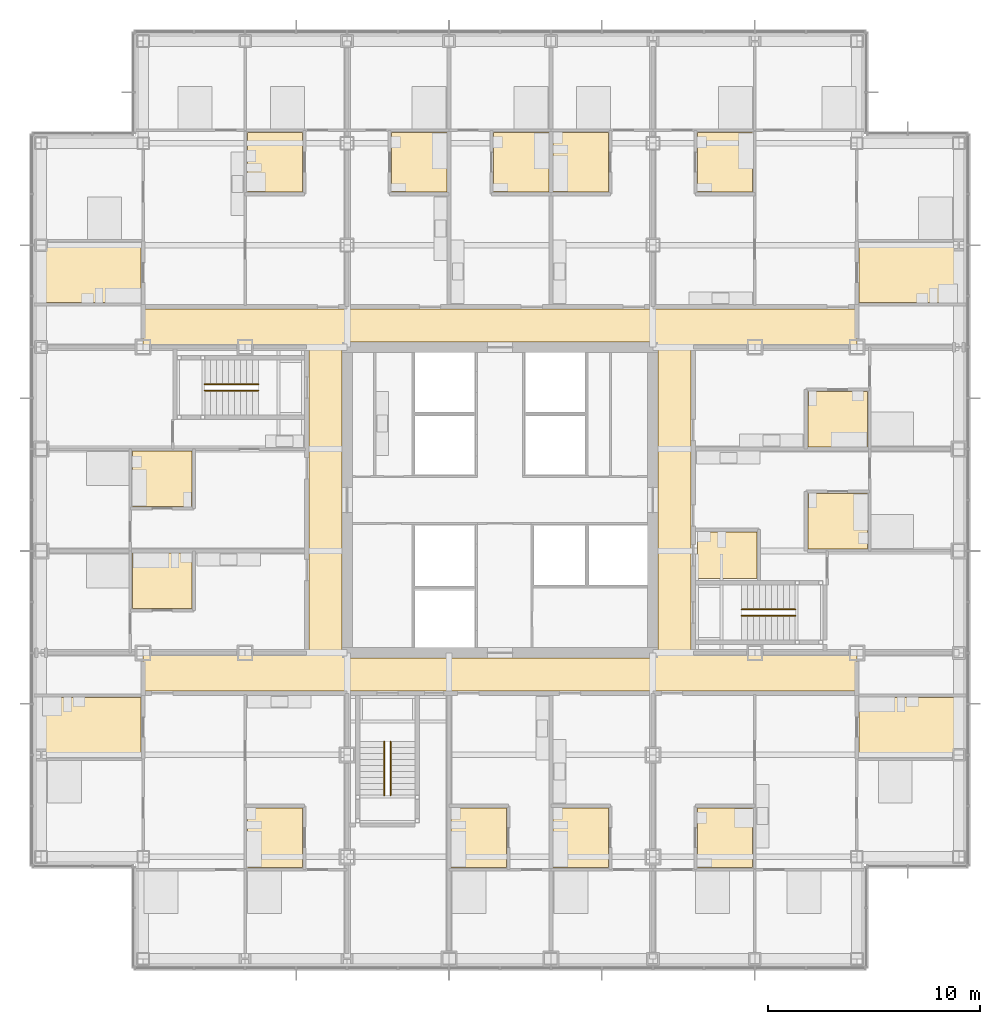
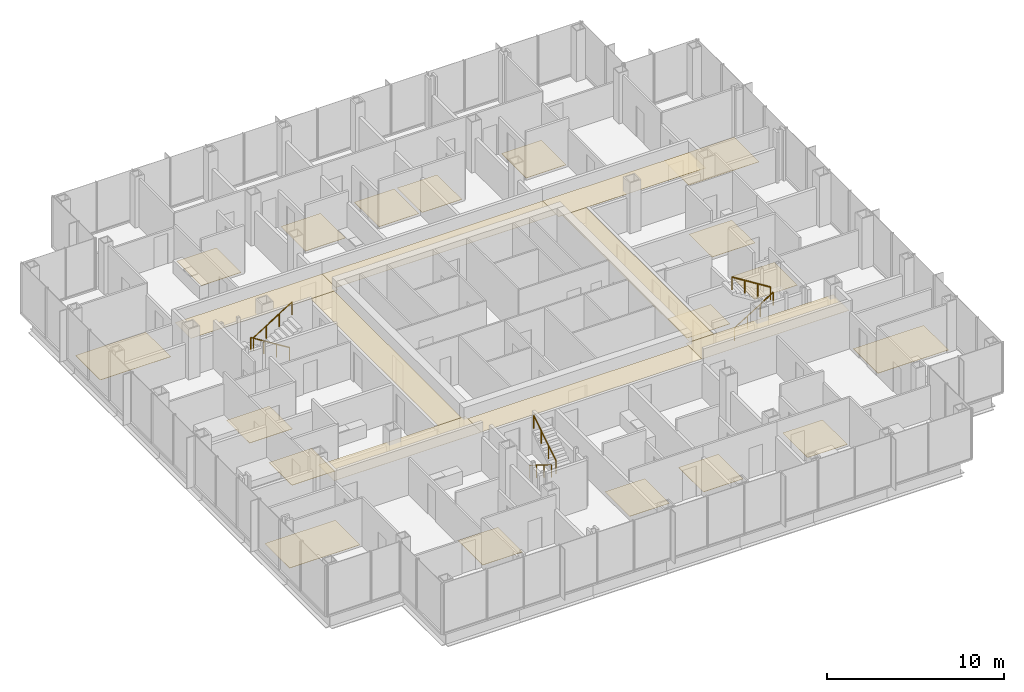
# One storey, part 19 of 21: 26 coverings, 6 railings.
"""IFC4 building model written with IfcOpenShell, lengths in metres."""

from ifc_helpers import new_model, si_unit, direction, frame, origin, origin_2d, place, context, subcontext, project, spatial, polyline, circle, outline, extrude, material, layer, layer_set, type_object, element, save


model = new_model("IFC4")

# Units and contexts
model_context = context("Model", 3, precision=1e-05, world=origin(), true_north=direction((0.0, 1.0)))
body_context = subcontext(model_context, "Body", "Model", "MODEL_VIEW")
ifc_project = project(units=[si_unit("LENGTHUNIT", "METRE"), si_unit("AREAUNIT", "SQUARE_METRE"), si_unit("VOLUMEUNIT", "CUBIC_METRE"), si_unit("PLANEANGLEUNIT", "RADIAN"), si_unit("MASSUNIT", "GRAM", prefix="KILO")], contexts=[model_context])

# Site, building, storey
site_placement = place(None, origin())
site = spatial("IfcSite", under=ifc_project, at=site_placement, CompositionType="ELEMENT")
building_placement = place(site_placement, origin())
building = spatial("IfcBuilding", under=site, at=building_placement, Name="Kvirike Care Tower", CompositionType="ELEMENT")
storey_placement = place(building_placement, frame((0.0, 0.0, 51.5)))
storey = spatial("IfcBuildingStorey", under=building, at=storey_placement, Name="L13", CompositionType="ELEMENT", Elevation=51.5)

# Coverings
ifc_material_1 = material(Name="Perforated metal ceiling tile", Category="aluminium")
ifc_layer_1 = layer(ifc_material_1, 0.014892578125)
ifc_layer_set_1 = layer_set([ifc_layer_1], Name="CORRIDOR CEILING 15")
covering_type_1 = type_object("IfcCoveringType", Name="CORRIDOR CEILING 15", PredefinedType="CEILING", material=ifc_layer_set_1)
covering_1_placement = place(storey_placement, frame((0.0, 0.0, 2.5)))
element("IfcCovering", 1, at=covering_1_placement, inside=storey, type_object=covering_type_1, Name="Corridor ceiling L13", PredefinedType="CEILING", context=body_context, shape_type="SweptSolid", body=[
    extrude(outline(polyline([(4.800048828125, 27.0), (4.800048828125, 28.800048828125), (14.39990234375, 28.800048828125), (14.39990234375, 27.0), (4.800048828125, 27.0)])), origin(), (0.0, 0.0, 1.0), 0.014892578125),
])
covering_2_placement = place(storey_placement, frame((0.0, 0.0, 2.5)))
element("IfcCovering", 2, at=covering_2_placement, inside=storey, type_object=covering_type_1, Name="Corridor ceiling L13", PredefinedType="CEILING", context=body_context, shape_type="SweptSolid", body=[
    extrude(outline(polyline([(12.60009765625, 43.199951171875), (14.14990234375, 43.199951171875), (14.14990234375, 28.800048828125), (12.60009765625, 28.800048828125), (12.60009765625, 43.199951171875)])), origin(), (0.0, 0.0, 1.0), 0.014892578125),
])
covering_3_placement = place(storey_placement, frame((0.0, 0.0, 2.5)))
element("IfcCovering", 3, at=covering_3_placement, inside=storey, type_object=covering_type_1, Name="Corridor ceiling L13", PredefinedType="CEILING", context=body_context, shape_type="SweptSolid", body=[
    extrude(outline(polyline([(14.39990234375, 45.0), (14.39990234375, 43.199951171875), (4.800048828125, 43.199951171875), (4.800048828125, 45.0), (14.39990234375, 45.0)])), origin(), (0.0, 0.0, 1.0), 0.014892578125),
])
covering_4_placement = place(storey_placement, frame((0.0, 0.0, 2.5)))
element("IfcCovering", 4, at=covering_4_placement, inside=storey, type_object=covering_type_1, Name="Corridor ceiling L13", PredefinedType="CEILING", context=body_context, shape_type="SweptSolid", body=[
    extrude(outline(polyline([(14.39990234375, 27.0), (14.39990234375, 28.550048828125), (28.800048828125, 28.550048828125), (28.800048828125, 27.0), (14.39990234375, 27.0)])), origin(), (0.0, 0.0, 1.0), 0.014892578125),
])
covering_5_placement = place(storey_placement, frame((0.0, 0.0, 2.5)))
element("IfcCovering", 5, at=covering_5_placement, inside=storey, type_object=covering_type_1, Name="Corridor ceiling L13", PredefinedType="CEILING", context=body_context, shape_type="SweptSolid", body=[
    extrude(outline(polyline([(28.800048828125, 45.0), (28.800048828125, 43.449951171875), (14.39990234375, 43.449951171875), (14.39990234375, 45.0), (28.800048828125, 45.0)])), origin(), (0.0, 0.0, 1.0), 0.014892578125),
])
covering_6_placement = place(storey_placement, frame((0.0, 0.0, 2.5)))
element("IfcCovering", 6, at=covering_6_placement, inside=storey, type_object=covering_type_1, Name="Corridor ceiling L13", PredefinedType="CEILING", context=body_context, shape_type="SweptSolid", body=[
    extrude(outline(polyline([(28.800048828125, 27.0), (28.800048828125, 28.800048828125), (38.39990234375, 28.800048828125), (38.39990234375, 27.0), (28.800048828125, 27.0)])), origin(), (0.0, 0.0, 1.0), 0.014892578125),
])
covering_7_placement = place(storey_placement, frame((0.0, 0.0, 2.5)))
element("IfcCovering", 7, at=covering_7_placement, inside=storey, type_object=covering_type_1, Name="Corridor ceiling L13", PredefinedType="CEILING", context=body_context, shape_type="SweptSolid", body=[
    extrude(outline(polyline([(30.60009765625, 28.800048828125), (29.050048828125, 28.800048828125), (29.050048828125, 43.199951171875), (30.60009765625, 43.199951171875), (30.60009765625, 28.800048828125)])), origin(), (0.0, 0.0, 1.0), 0.014892578125),
])
covering_8_placement = place(storey_placement, frame((0.0, 0.0, 2.5)))
element("IfcCovering", 8, at=covering_8_placement, inside=storey, type_object=covering_type_1, Name="Corridor ceiling L13", PredefinedType="CEILING", context=body_context, shape_type="SweptSolid", body=[
    extrude(outline(polyline([(38.39990234375, 45.0), (38.39990234375, 43.199951171875), (28.800048828125, 43.199951171875), (28.800048828125, 45.0), (38.39990234375, 45.0)])), origin(), (0.0, 0.0, 1.0), 0.014892578125),
])

# Railings
ifc_material_2 = material(Name="Stainless steel handrail", Category="steel")
railing_type = type_object("IfcRailingType", Name="STAIR HANDRAIL 900", PredefinedType="HANDRAIL", material=ifc_material_2)
railing_1_placement = place(storey_placement, frame((10.219970703125, 41.449951171875, 0.175048828125)))
element("IfcRailing", 9, at=railing_1_placement, inside=storey, type_object=railing_type, Name="Stair 1 handrail L13 flight 1", PredefinedType="HANDRAIL", context=body_context, shape_type="SweptSolid", body=[
    extrude(circle(Radius=0.02490234375, at=origin_2d()), frame((0.0, 0.0, 0.875), z_axis=(-0.848007534815, 0.0, 0.529984170421), x_axis=(0.0, -1.0, 0.0)), (0.0, 0.0, 1.0), 2.9716796875),
    extrude(circle(Radius=0.02001953125, at=origin_2d()), origin(), (0.0, 0.0, 1.0), 0.849853515625),
    extrude(circle(Radius=0.02001953125, at=origin_2d()), frame((-0.840087890625, 0.0, 0.52490234375)), (0.0, 0.0, 1.0), 0.849853515625),
    extrude(circle(Radius=0.02001953125, at=origin_2d()), frame((-1.679931640625, 0.0, 1.050048828125)), (0.0, 0.0, 1.0), 0.849853515625),
    extrude(circle(Radius=0.02001953125, at=origin_2d()), frame((-2.52001953125, 0.0, 1.574951171875)), (0.0, 0.0, 1.0), 0.849853515625),
])
for number, where, name in (
    (10, (7.699951171875, 41.14990234375, 1.925048828125), "Stair 1 handrail L13 flight 2"),
    (11, (32.97998046875, 30.550048828125, 0.175048828125), "Stair 2 handrail L13 flight 1"),
):
    element("IfcRailing", number, at=place(storey_placement, frame(where)), inside=storey, type_object=railing_type, Name=name, PredefinedType="HANDRAIL", context=body_context, shape_type="SweptSolid", body=[
        extrude(circle(Radius=0.02490234375, at=origin_2d()), frame((0.0, 0.0, 0.875), z_axis=(0.848007534815, 0.0, 0.529984170421), x_axis=(0.0, 1.0, 0.0)), (0.0, 0.0, 1.0), 2.9716796875),
        extrude(circle(Radius=0.02001953125, at=origin_2d()), origin(), (0.0, 0.0, 1.0), 0.849853515625),
        extrude(circle(Radius=0.02001953125, at=origin_2d()), frame((0.840087890625, 0.0, 0.52490234375)), (0.0, 0.0, 1.0), 0.849853515625),
        extrude(circle(Radius=0.02001953125, at=origin_2d()), frame((1.679931640625, 0.0, 1.050048828125)), (0.0, 0.0, 1.0), 0.849853515625),
        extrude(circle(Radius=0.02001953125, at=origin_2d()), frame((2.52001953125, 0.0, 1.574951171875)), (0.0, 0.0, 1.0), 0.849853515625),
    ])
railing_2_placement = place(storey_placement, frame((35.5, 30.85009765625, 1.925048828125)))
element("IfcRailing", 12, at=railing_2_placement, inside=storey, type_object=railing_type, Name="Stair 2 handrail L13 flight 2", PredefinedType="HANDRAIL", context=body_context, shape_type="SweptSolid", body=[
    extrude(circle(Radius=0.02490234375, at=origin_2d()), frame((0.0, 0.0, 0.875), z_axis=(-0.848007534815, 0.0, 0.529984170421), x_axis=(0.0, -1.0, 0.0)), (0.0, 0.0, 1.0), 2.9716796875),
    extrude(circle(Radius=0.02001953125, at=origin_2d()), origin(), (0.0, 0.0, 1.0), 0.849853515625),
    extrude(circle(Radius=0.02001953125, at=origin_2d()), frame((-0.840087890625, 0.0, 0.52490234375)), (0.0, 0.0, 1.0), 0.849853515625),
    extrude(circle(Radius=0.02001953125, at=origin_2d()), frame((-1.679931640625, 0.0, 1.050048828125)), (0.0, 0.0, 1.0), 0.849853515625),
    extrude(circle(Radius=0.02001953125, at=origin_2d()), frame((-2.52001953125, 0.0, 1.574951171875)), (0.0, 0.0, 1.0), 0.849853515625),
])
railing_3_placement = place(storey_placement, frame((16.14990234375, 24.6201171875, 0.175048828125)))
element("IfcRailing", 13, at=railing_3_placement, inside=storey, type_object=railing_type, Name="Stair 5 handrail L13 flight 1", PredefinedType="HANDRAIL", context=body_context, shape_type="SweptSolid", body=[
    extrude(circle(Radius=0.02490234375, at=origin_2d()), frame((0.0, 0.0, 0.875), z_axis=(0.0, -0.848007534815, 0.529984170421), x_axis=(1.0, 0.0, 0.0)), (0.0, 0.0, 1.0), 2.9716796875),
    extrude(circle(Radius=0.02001953125, at=origin_2d()), origin(), (0.0, 0.0, 1.0), 0.849853515625),
    extrude(circle(Radius=0.02001953125, at=origin_2d()), frame((0.0, -0.840087890625, 0.52490234375)), (0.0, 0.0, 1.0), 0.849853515625),
    extrude(circle(Radius=0.02001953125, at=origin_2d()), frame((0.0, -1.679931640625, 1.050048828125)), (0.0, 0.0, 1.0), 0.849853515625),
    extrude(circle(Radius=0.02001953125, at=origin_2d()), frame((0.0, -2.52001953125, 1.574951171875)), (0.0, 0.0, 1.0), 0.849853515625),
])
railing_4_placement = place(storey_placement, frame((16.449951171875, 22.10009765625, 1.925048828125)))
element("IfcRailing", 14, at=railing_4_placement, inside=storey, type_object=railing_type, Name="Stair 5 handrail L13 flight 2", PredefinedType="HANDRAIL", context=body_context, shape_type="SweptSolid", body=[
    extrude(circle(Radius=0.02490234375, at=origin_2d()), frame((0.0, 0.0, 0.875), z_axis=(0.0, 0.848007534815, 0.529984170421), x_axis=(-1.0, 0.0, 0.0)), (0.0, 0.0, 1.0), 2.9716796875),
    extrude(circle(Radius=0.02001953125, at=origin_2d()), origin(), (0.0, 0.0, 1.0), 0.849853515625),
    extrude(circle(Radius=0.02001953125, at=origin_2d()), frame((0.0, 0.840087890625, 0.52490234375)), (0.0, 0.0, 1.0), 0.849853515625),
    extrude(circle(Radius=0.02001953125, at=origin_2d()), frame((0.0, 1.679931640625, 1.050048828125)), (0.0, 0.0, 1.0), 0.849853515625),
    extrude(circle(Radius=0.02001953125, at=origin_2d()), frame((0.0, 2.52001953125, 1.574951171875)), (0.0, 0.0, 1.0), 0.849853515625),
])

# Coverings
ifc_material_3 = material(Name="Slip-resistant vinyl safety flooring on screed")
ifc_layer_2 = layer(ifc_material_3, 0.02001953125)
ifc_layer_set_2 = layer_set([ifc_layer_2], Name="WET ROOM FLOOR 20")
covering_type_2 = type_object("IfcCoveringType", Name="WET ROOM FLOOR 20", PredefinedType="FLOORING", material=ifc_layer_set_2)
covering_9_placement = place(storey_placement, origin())
element("IfcCovering", 15, at=covering_9_placement, inside=storey, type_object=covering_type_2, Name="Shower room floor L13-005", PredefinedType="FLOORING", context=body_context, shape_type="SweptSolid", body=[
    extrude(outline(polyline([(0.10009765625, 23.89990234375), (0.10009765625, 26.699951171875), (4.699951171875, 26.699951171875), (4.699951171875, 23.89990234375), (0.10009765625, 23.89990234375)])), origin(), (0.0, 0.0, 1.0), 0.02001953125),
])
covering_10_placement = place(storey_placement, origin())
element("IfcCovering", 16, at=covering_10_placement, inside=storey, type_object=covering_type_2, Name="Bathroom floor L13-006", PredefinedType="FLOORING", context=body_context, shape_type="SweptSolid", body=[
    extrude(outline(polyline([(9.699951171875, 18.699951171875), (9.699951171875, 21.5), (12.300048828125, 21.5), (12.300048828125, 18.699951171875), (9.699951171875, 18.699951171875)])), origin(), (0.0, 0.0, 1.0), 0.02001953125),
])
covering_11_placement = place(storey_placement, origin())
element("IfcCovering", 17, at=covering_11_placement, inside=storey, type_object=covering_type_2, Name="Bathroom floor L13-013", PredefinedType="FLOORING", context=body_context, shape_type="SweptSolid", body=[
    extrude(outline(polyline([(4.300048828125, 38.300048828125), (7.10009765625, 38.300048828125), (7.10009765625, 35.699951171875), (4.300048828125, 35.699951171875), (4.300048828125, 38.300048828125)])), origin(), (0.0, 0.0, 1.0), 0.02001953125),
])
covering_12_placement = place(storey_placement, origin())
element("IfcCovering", 18, at=covering_12_placement, inside=storey, type_object=covering_type_2, Name="Bathroom floor L13-017", PredefinedType="FLOORING", context=body_context, shape_type="SweptSolid", body=[
    extrude(outline(polyline([(4.300048828125, 33.5), (7.10009765625, 33.5), (7.10009765625, 30.89990234375), (4.300048828125, 30.89990234375), (4.300048828125, 33.5)])), origin(), (0.0, 0.0, 1.0), 0.02001953125),
])
covering_13_placement = place(storey_placement, origin())
element("IfcCovering", 19, at=covering_13_placement, inside=storey, type_object=covering_type_2, Name="Shower room floor L13-023", PredefinedType="FLOORING", context=body_context, shape_type="SweptSolid", body=[
    extrude(outline(polyline([(12.300048828125, 53.300048828125), (12.300048828125, 50.5), (9.699951171875, 50.5), (9.699951171875, 53.300048828125), (12.300048828125, 53.300048828125)])), origin(), (0.0, 0.0, 1.0), 0.02001953125),
])
covering_14_placement = place(storey_placement, origin())
element("IfcCovering", 20, at=covering_14_placement, inside=storey, type_object=covering_type_2, Name="Bathroom floor L13-024", PredefinedType="FLOORING", context=body_context, shape_type="SweptSolid", body=[
    extrude(outline(polyline([(4.699951171875, 48.10009765625), (4.699951171875, 45.300048828125), (0.10009765625, 45.300048828125), (0.10009765625, 48.10009765625), (4.699951171875, 48.10009765625)])), origin(), (0.0, 0.0, 1.0), 0.02001953125),
])
covering_15_placement = place(storey_placement, origin())
element("IfcCovering", 21, at=covering_15_placement, inside=storey, type_object=covering_type_2, Name="Bathroom floor L13-031", PredefinedType="FLOORING", context=body_context, shape_type="SweptSolid", body=[
    extrude(outline(polyline([(19.300048828125, 18.699951171875), (19.300048828125, 21.5), (21.89990234375, 21.5), (21.89990234375, 18.699951171875), (19.300048828125, 18.699951171875)])), origin(), (0.0, 0.0, 1.0), 0.02001953125),
])
covering_16_placement = place(storey_placement, origin())
element("IfcCovering", 22, at=covering_16_placement, inside=storey, type_object=covering_type_2, Name="Bathroom floor L13-034", PredefinedType="FLOORING", context=body_context, shape_type="SweptSolid", body=[
    extrude(outline(polyline([(24.10009765625, 18.699951171875), (24.10009765625, 21.5), (26.699951171875, 21.5), (26.699951171875, 18.699951171875), (24.10009765625, 18.699951171875)])), origin(), (0.0, 0.0, 1.0), 0.02001953125),
])
covering_17_placement = place(storey_placement, origin())
element("IfcCovering", 23, at=covering_17_placement, inside=storey, type_object=covering_type_2, Name="Bathroom floor L13-038", PredefinedType="FLOORING", context=body_context, shape_type="SweptSolid", body=[
    extrude(outline(polyline([(26.699951171875, 53.300048828125), (26.699951171875, 50.5), (24.10009765625, 50.5), (24.10009765625, 53.300048828125), (26.699951171875, 53.300048828125)])), origin(), (0.0, 0.0, 1.0), 0.02001953125),
])
covering_18_placement = place(storey_placement, origin())
element("IfcCovering", 24, at=covering_18_placement, inside=storey, type_object=covering_type_2, Name="Bathroom floor L13-041", PredefinedType="FLOORING", context=body_context, shape_type="SweptSolid", body=[
    extrude(outline(polyline([(23.89990234375, 53.300048828125), (23.89990234375, 50.5), (21.300048828125, 50.5), (21.300048828125, 53.300048828125), (23.89990234375, 53.300048828125)])), origin(), (0.0, 0.0, 1.0), 0.02001953125),
])
covering_19_placement = place(storey_placement, origin())
element("IfcCovering", 25, at=covering_19_placement, inside=storey, type_object=covering_type_2, Name="Bathroom floor L13-044", PredefinedType="FLOORING", context=body_context, shape_type="SweptSolid", body=[
    extrude(outline(polyline([(19.10009765625, 53.300048828125), (19.10009765625, 50.5), (16.5, 50.5), (16.5, 53.300048828125), (19.10009765625, 53.300048828125)])), origin(), (0.0, 0.0, 1.0), 0.02001953125),
])
covering_20_placement = place(storey_placement, origin())
element("IfcCovering", 26, at=covering_20_placement, inside=storey, type_object=covering_type_2, Name="Shower room floor L13-050", PredefinedType="FLOORING", context=body_context, shape_type="SweptSolid", body=[
    extrude(outline(polyline([(30.89990234375, 18.699951171875), (30.89990234375, 21.5), (33.5, 21.5), (33.5, 18.699951171875), (30.89990234375, 18.699951171875)])), origin(), (0.0, 0.0, 1.0), 0.02001953125),
])
covering_21_placement = place(storey_placement, origin())
element("IfcCovering", 27, at=covering_21_placement, inside=storey, type_object=covering_type_2, Name="Bathroom floor L13-051", PredefinedType="FLOORING", context=body_context, shape_type="SweptSolid", body=[
    extrude(outline(polyline([(38.5, 23.89990234375), (38.5, 26.699951171875), (43.10009765625, 26.699951171875), (43.10009765625, 23.89990234375), (38.5, 23.89990234375)])), origin(), (0.0, 0.0, 1.0), 0.02001953125),
])
covering_22_placement = place(storey_placement, origin())
element("IfcCovering", 28, at=covering_22_placement, inside=storey, type_object=covering_type_2, Name="Accessible WC floor L13-058", PredefinedType="FLOORING", context=body_context, shape_type="SweptSolid", body=[
    extrude(outline(polyline([(33.699951171875, 32.300048828125), (30.89990234375, 32.300048828125), (30.89990234375, 34.5), (33.699951171875, 34.5), (33.699951171875, 32.300048828125)])), origin(), (0.0, 0.0, 1.0), 0.02001953125),
])
covering_23_placement = place(storey_placement, origin())
element("IfcCovering", 29, at=covering_23_placement, inside=storey, type_object=covering_type_2, Name="Bathroom floor L13-059", PredefinedType="FLOORING", context=body_context, shape_type="SweptSolid", body=[
    extrude(outline(polyline([(38.89990234375, 33.699951171875), (36.10009765625, 33.699951171875), (36.10009765625, 36.300048828125), (38.89990234375, 36.300048828125), (38.89990234375, 33.699951171875)])), origin(), (0.0, 0.0, 1.0), 0.02001953125),
])
covering_24_placement = place(storey_placement, origin())
element("IfcCovering", 30, at=covering_24_placement, inside=storey, type_object=covering_type_2, Name="Bathroom floor L13-062", PredefinedType="FLOORING", context=body_context, shape_type="SweptSolid", body=[
    extrude(outline(polyline([(38.89990234375, 38.5), (36.10009765625, 38.5), (36.10009765625, 41.10009765625), (38.89990234375, 41.10009765625), (38.89990234375, 38.5)])), origin(), (0.0, 0.0, 1.0), 0.02001953125),
])
covering_25_placement = place(storey_placement, origin())
element("IfcCovering", 31, at=covering_25_placement, inside=storey, type_object=covering_type_2, Name="Shower room floor L13-068", PredefinedType="FLOORING", context=body_context, shape_type="SweptSolid", body=[
    extrude(outline(polyline([(43.10009765625, 48.10009765625), (43.10009765625, 45.300048828125), (38.5, 45.300048828125), (38.5, 48.10009765625), (43.10009765625, 48.10009765625)])), origin(), (0.0, 0.0, 1.0), 0.02001953125),
])
covering_26_placement = place(storey_placement, origin())
element("IfcCovering", 32, at=covering_26_placement, inside=storey, type_object=covering_type_2, Name="Bathroom floor L13-069", PredefinedType="FLOORING", context=body_context, shape_type="SweptSolid", body=[
    extrude(outline(polyline([(33.5, 53.300048828125), (33.5, 50.5), (30.89990234375, 50.5), (30.89990234375, 53.300048828125), (33.5, 53.300048828125)])), origin(), (0.0, 0.0, 1.0), 0.02001953125),
])

save(model, "model.ifc")
